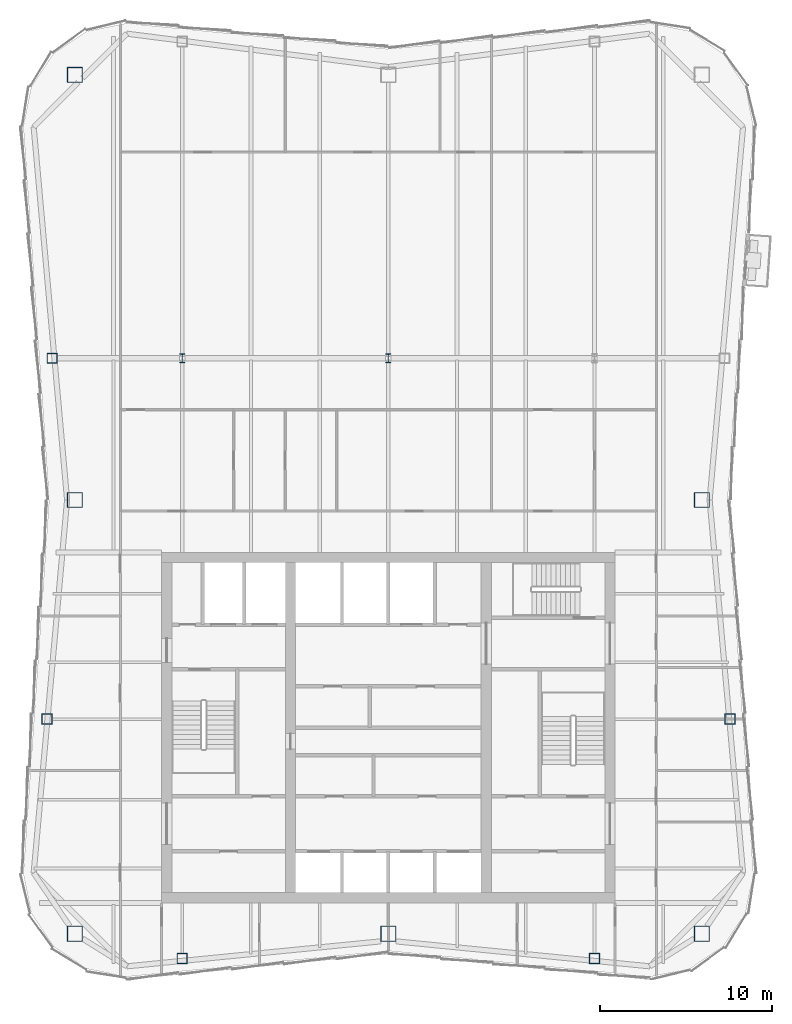
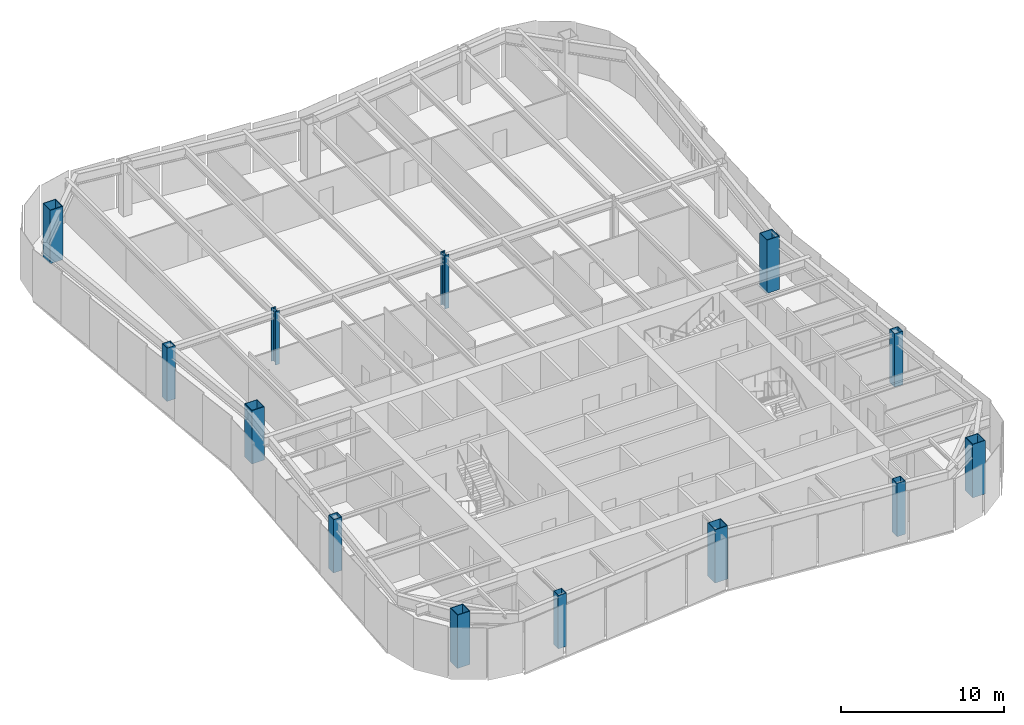
# One storey, part 1 of 10: 13 columns.
"""IFC4 building model written with IfcOpenShell, lengths in metres."""

import ifcopenshell
import ifcopenshell.guid

model = None  # the IFC model being written
_history = None  # IfcOwnerHistory: only IFC2X3 demands one
_inside = {}  # id of a spatial element -> (the spatial element, [elements in it])
_under = {}  # id of a project, library or spatial element -> (it, [spatial elements below it])
_declared = {}  # id of a project -> (the project, [libraries it declares])
_typed = {}  # id of a type object -> (the type object, [elements of that type])
_made_of = {}  # id of a material, layer set ... -> (it, [elements and type objects made of it])


def new_model(schema):
    """Start an empty IFC model of exactly this schema.

    Asked for "IFC4X3", IfcOpenShell would pick the latest addendum, in which some entities
    have other attributes; the version numbers below select the first issue.
    IFC2X3 requires an IfcOwnerHistory on every rooted entity: one is made here for all.
    """
    global model, _history
    if schema == "IFC4X3":
        model = ifcopenshell.file(schema_version=(4, 3, 0, 0))
    else:
        model = ifcopenshell.file(schema=schema)
    _inside.clear()
    _under.clear()
    _declared.clear()
    _typed.clear()
    _made_of.clear()
    _history = None
    if model.schema == "IFC2X3":
        org = make("IfcOrganization", Name="unknown")
        user = make(
            "IfcPersonAndOrganization",
            ThePerson=make("IfcPerson", FamilyName="unknown"),
            TheOrganization=org,
        )
        app = make(
            "IfcApplication",
            ApplicationDeveloper=org,
            Version="unknown",
            ApplicationFullName="unknown",
            ApplicationIdentifier="unknown",
        )
        _history = make(
            "IfcOwnerHistory",
            OwningUser=user,
            OwningApplication=app,
            ChangeAction="ADDED",
            CreationDate=0,
        )
    return model


def make(cls, **values):
    """One entity of the class cls with the attributes given. An attribute that is None is left unset."""
    return model.create_entity(
        cls, **{name: value for name, value in values.items() if value is not None}
    )


def rooted(cls, **values):
    """An entity with a GlobalId (a new one), such as an element, a storey or a relation."""
    return make(cls, GlobalId=ifcopenshell.guid.new(), OwnerHistory=_history, **values)


def si_unit(unit_type, name, prefix=None):
    """IfcSIUnit, for example si_unit("LENGTHUNIT", "METRE", prefix="MILLI")."""
    return make("IfcSIUnit", UnitType=unit_type, Prefix=prefix, Name=name)


def assignment(units):
    """IfcUnitAssignment: the units of a project."""
    return None if units is None else make("IfcUnitAssignment", Units=units)


def point(xyz):
    """IfcCartesianPoint."""
    return None if xyz is None else make("IfcCartesianPoint", Coordinates=xyz)


def direction(xyz):
    """IfcDirection."""
    return None if xyz is None else make("IfcDirection", DirectionRatios=xyz)


def frame(location, z_axis=None, x_axis=None):
    """IfcAxis2Placement3D, a coordinate frame: its origin and axes. An axis left out is left unset."""
    return make(
        "IfcAxis2Placement3D",
        Location=point(location),
        Axis=direction(z_axis),
        RefDirection=direction(x_axis),
    )


def frame_2d(location, x_axis=None):
    """IfcAxis2Placement2D, a coordinate frame in the plane: its origin and x axis."""
    return make(
        "IfcAxis2Placement2D", Location=point(location), RefDirection=direction(x_axis)
    )


def origin():
    """The frame at (0, 0, 0) with its axes left unset."""
    return frame((0.0, 0.0, 0.0))


def origin_2d():
    """The frame at (0, 0) in the plane with its x axis left unset."""
    return frame_2d((0.0, 0.0))


def place(relative_to, where):
    """IfcLocalPlacement: puts the frame where relative to a parent placement (None: the world)."""
    return make(
        "IfcLocalPlacement", PlacementRelTo=relative_to, RelativePlacement=where
    )


def context(
    kind, dimensions, precision=None, world=None, true_north=None, identifier=None
):
    """IfcGeometricRepresentationContext, for example the 3D "Model" context."""
    return make(
        "IfcGeometricRepresentationContext",
        ContextIdentifier=identifier,
        ContextType=kind,
        CoordinateSpaceDimension=dimensions,
        Precision=precision,
        WorldCoordinateSystem=world,
        TrueNorth=true_north,
    )


def subcontext(parent, identifier, kind, view, scale=None):
    """IfcGeometricRepresentationSubContext, for example "Body" below "Model"."""
    return make(
        "IfcGeometricRepresentationSubContext",
        ContextIdentifier=identifier,
        ContextType=kind,
        ParentContext=parent,
        TargetScale=scale,
        TargetView=view,
    )


def project(units=None, contexts=None):
    """IfcProject with its units and contexts."""
    return rooted(
        "IfcProject",
        Name="project",
        RepresentationContexts=contexts,
        UnitsInContext=assignment(units),
    )


def spatial(cls, under=None, at=None, **own):
    """A site, building, storey or space (cls), placed at a placement, below another one or the project."""
    s = rooted(cls, ObjectPlacement=at, **own)
    if under is not None:
        _under.setdefault(under.id(), (under, []))[1].append(s)
    return s


def profile(cls, at=None, kind="AREA", **sizes):
    """A parametric profile (cls). Its sizes go by their IFC names, for example OverallWidth=200.0."""
    return make(cls, ProfileType=kind, Position=at, **sizes)


def hollow_rectangle(**sizes):
    """IfcRectangleHollowProfileDef."""
    return profile("IfcRectangleHollowProfileDef", **sizes)


def i_section(**sizes):
    """IfcIShapeProfileDef."""
    return profile("IfcIShapeProfileDef", **sizes)


def extrude(swept, where, along, depth):
    """IfcExtrudedAreaSolid: the profile swept, set in the frame where, extruded along a direction by depth."""
    return make(
        "IfcExtrudedAreaSolid",
        SweptArea=swept,
        Position=where,
        ExtrudedDirection=direction(along),
        Depth=depth,
    )


def shape(context_of_items, identifier, shape_type, items):
    """IfcShapeRepresentation: the items that make up one representation, for example the "Body"."""
    return make(
        "IfcShapeRepresentation",
        ContextOfItems=context_of_items,
        RepresentationIdentifier=identifier,
        RepresentationType=shape_type,
        Items=items,
    )


def material(Name=None, Category=None):
    """IfcMaterial."""
    return make("IfcMaterial", Name=Name, Category=Category)


def material_profile(
    of_material, cross_section, Name=None, Category=None, Priority=None
):
    """IfcMaterialProfile: a cross section and its material."""
    return make(
        "IfcMaterialProfile",
        Name=Name,
        Material=of_material,
        Profile=cross_section,
        Priority=Priority,
        Category=Category,
    )


def profile_set(profiles, Name=None, composite=None):
    """IfcMaterialProfileSet."""
    return make(
        "IfcMaterialProfileSet",
        Name=Name,
        MaterialProfiles=profiles,
        CompositeProfile=composite,
    )


def made_of(thing, what):
    """Note that an element or type object is made of a material, layer set ...; save() writes the relation."""
    if what is not None:
        _made_of.setdefault(what.id(), (what, []))[1].append(thing)
    return thing


def type_object(cls, material=None, **own):
    """A type object (cls), such as IfcWallType, which elements share."""
    return made_of(rooted(cls, **own), material)


def element(
    cls,
    number,
    at=None,
    inside=None,
    cuts=None,
    type_object=None,
    material=None,
    context=None,
    identifier="Body",
    shape_type=None,
    held_by="IfcProductDefinitionShape",
    body=None,
    shapes=None,
    **own,
):
    """One element of the class cls, such as IfcWall. Its Tag is "e" and its number.

    at: its placement. inside: the storey or other place that contains it. cuts: it is an
    opening in that element (IfcRelVoidsElement). A single representation is given by context,
    identifier, shape_type and body (its items); several are given by shapes. held_by: the class
    of the entity that holds the representations. save() writes the other relations.
    """
    e = rooted(cls, Tag="e%d" % number, ObjectPlacement=at, **own)
    if body is not None:
        shapes = [shape(context, identifier, shape_type, body)]
    if shapes is not None:
        e.Representation = make(held_by, Representations=shapes)
    if inside is not None:
        _inside.setdefault(inside.id(), (inside, []))[1].append(e)
    if cuts is not None:
        rooted(
            "IfcRelVoidsElement", RelatingBuildingElement=cuts, RelatedOpeningElement=e
        )
    if type_object is not None:
        _typed.setdefault(type_object.id(), (type_object, []))[1].append(e)
    return made_of(e, material)


def aggregate(whole, parts):
    """IfcRelAggregates: a whole, such as a stair, and the parts it consists of."""
    return rooted("IfcRelAggregates", RelatingObject=whole, RelatedObjects=parts)


def save(model, path):
    """Write the relations noted so far, then the file.

    IfcRelAggregates (storeys below a building ...), IfcRelContainedInSpatialStructure (elements
    in a storey), IfcRelDefinesByType, IfcRelAssociatesMaterial and IfcRelDeclares: one each for
    every whole, place, type object, material and project.
    """
    for whole, parts in _under.values():
        aggregate(whole, parts)
    for where, things in _inside.values():
        rooted(
            "IfcRelContainedInSpatialStructure",
            RelatedElements=things,
            RelatingStructure=where,
        )
    for kind, things in _typed.values():
        rooted("IfcRelDefinesByType", RelatedObjects=things, RelatingType=kind)
    for what, things in _made_of.values():
        rooted("IfcRelAssociatesMaterial", RelatedObjects=things, RelatingMaterial=what)
    for by, libraries in _declared.values():
        rooted("IfcRelDeclares", RelatingContext=by, RelatedDefinitions=libraries)
    model.write(path)


model = new_model("IFC4")

# Units and contexts
model_context = context("Model", 3, precision=1e-05, world=origin(), true_north=direction((0.0, 1.0)))
body_context = subcontext(model_context, "Body", "Model", "MODEL_VIEW")
ifc_project = project(units=[si_unit("LENGTHUNIT", "METRE"), si_unit("AREAUNIT", "SQUARE_METRE"), si_unit("VOLUMEUNIT", "CUBIC_METRE"), si_unit("PLANEANGLEUNIT", "RADIAN"), si_unit("MASSUNIT", "GRAM", prefix="KILO")], contexts=[model_context])

# Site, building, storey
site_placement = place(None, origin())
site = spatial("IfcSite", under=ifc_project, at=site_placement, CompositionType="ELEMENT")
building_placement = place(site_placement, origin())
building = spatial("IfcBuilding", under=site, at=building_placement, Name="Verdant Reach Tower", CompositionType="ELEMENT")
storey_placement = place(building_placement, frame((0.0, 0.0, 310.0)))
storey = spatial("IfcBuildingStorey", under=building, at=storey_placement, Name="L71", CompositionType="ELEMENT", Elevation=310.0)

# Columns
ifc_material = material(Name="Steel S460", Category="steel")
ifc_material_profile_1 = material_profile(ifc_material, i_section(OverallWidth=0.305908203125, OverallDepth=0.52392578125, WebThickness=0.012451171875, FlangeThickness=0.0400390625, FilletRadius=0.027099609375, at=origin_2d()), Name="HEM 500")
ifc_profile_set_1 = profile_set([ifc_material_profile_1], Name="Steel S460")
column_type_1 = type_object("IfcColumnType", Name="ST-COL-HEM500", PredefinedType="COLUMN", material=ifc_profile_set_1)
for number, where, z_axis, x_axis, name in (
    (1, (-12.0, 49.5, 0.0), (0.0, 0.0, 1.0), (1.0, 0.0, 0.0), "Interior column 1, L71"),
    (2, (0.0, 49.5, 0.0), (0.0, 0.0, 1.0), (1.0, 0.0, 0.0), "Interior column 2, L71"),
):
    element("IfcColumn", number, at=place(storey_placement, frame(where, z_axis=z_axis, x_axis=x_axis)), inside=storey, type_object=column_type_1, Name=name, PredefinedType="COLUMN", context=body_context, shape_type="SweptSolid", body=[
        extrude(i_section(OverallWidth=0.305908203125, OverallDepth=0.52392578125, WebThickness=0.012451171875, FlangeThickness=0.0400390625, FilletRadius=0.027099609375, at=origin_2d()), origin(), (0.0, 0.0, 1.0), 4.0),
    ])
ifc_material_profile_2 = material_profile(ifc_material, hollow_rectangle(XDim=0.60009765625, YDim=0.60009765625, WallThickness=0.02490234375, at=origin_2d()), Name="WB 600x600x25")
ifc_profile_set_2 = profile_set([ifc_material_profile_2], Name="Steel S460")
column_type_2 = type_object("IfcColumnType", Name="ST-COL-WB600x600x25", PredefinedType="COLUMN", material=ifc_profile_set_2)
for number, where, z_axis, x_axis, name in (
    (3, (-12.0, 14.569580078125, 0.0), (0.0, 0.0, 1.0), (1.0, 0.0, 0.0), "Perimeter column south 1, L71"),
    (4, (12.0, 14.569580078125, 0.0), (0.0, 0.0, 1.0), (1.0, 0.0, 0.0), "Perimeter column south 2, L71"),
    (5, (19.87939453125, 28.5, 0.0), (0.0, 0.0, 1.0), (1.0, 0.0, 0.0), "Perimeter column east 1, L71"),
    (6, (-19.87939453125, 28.5, 0.0), (0.0, 0.0, 1.0), (1.0, 0.0, 0.0), "Perimeter column west 1, L71"),
    (7, (-19.569091796875, 49.5, 0.0), (0.0, 0.0, 1.0), (1.0, 0.0, 0.0), "Perimeter column west 2, L71"),
):
    element("IfcColumn", number, at=place(storey_placement, frame(where, z_axis=z_axis, x_axis=x_axis)), inside=storey, type_object=column_type_2, Name=name, PredefinedType="COLUMN", context=body_context, shape_type="SweptSolid", body=[
        extrude(hollow_rectangle(XDim=0.60009765625, YDim=0.60009765625, WallThickness=0.02490234375, at=origin_2d()), origin(), (0.0, 0.0, 1.0), 4.0),
    ])
ifc_material_profile_3 = material_profile(ifc_material, hollow_rectangle(XDim=0.89990234375, YDim=0.89990234375, WallThickness=0.0400390625, at=origin_2d()), Name="WB 900x900x40")
ifc_profile_set_3 = profile_set([ifc_material_profile_3], Name="Steel S460")
column_type_3 = type_object("IfcColumnType", Name="ST-COL-WB900x900x40", PredefinedType="COLUMN", material=ifc_profile_set_3)
for number, where, z_axis, x_axis, name in (
    (8, (-18.25, 66.0, 0.0), (0.0, 0.0, 1.0), (1.0, 0.0, 0.0), "Mega column north-west, L71"),
    (9, (18.25, 41.25, 0.0), (0.0, 0.0, 1.0), (1.0, 0.0, 0.0), "Mega column east, L71"),
    (10, (18.25, 16.0, 0.0), (0.0, 0.0, 1.0), (1.0, 0.0, 0.0), "Mega column south-east, L71"),
    (11, (0.0, 16.0, 0.0), (0.0, 0.0, 1.0), (1.0, 0.0, 0.0), "Mega column south, L71"),
    (12, (-18.25, 16.0, 0.0), (0.0, 0.0, 1.0), (1.0, 0.0, 0.0), "Mega column south-west, L71"),
    (13, (-18.25, 41.25, 0.0), (0.0, 0.0, 1.0), (1.0, 0.0, 0.0), "Mega column west, L71"),
):
    element("IfcColumn", number, at=place(storey_placement, frame(where, z_axis=z_axis, x_axis=x_axis)), inside=storey, type_object=column_type_3, Name=name, PredefinedType="COLUMN", context=body_context, shape_type="SweptSolid", body=[
        extrude(hollow_rectangle(XDim=0.89990234375, YDim=0.89990234375, WallThickness=0.0400390625, at=origin_2d()), origin(), (0.0, 0.0, 1.0), 4.0),
    ])

save(model, "model.ifc")
